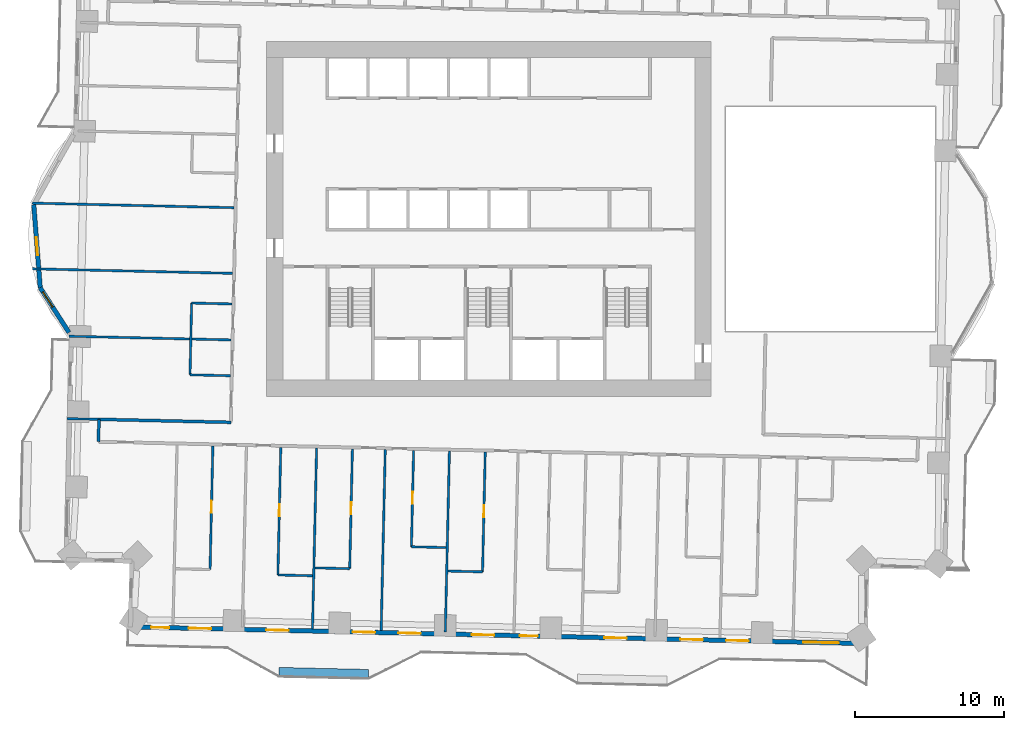
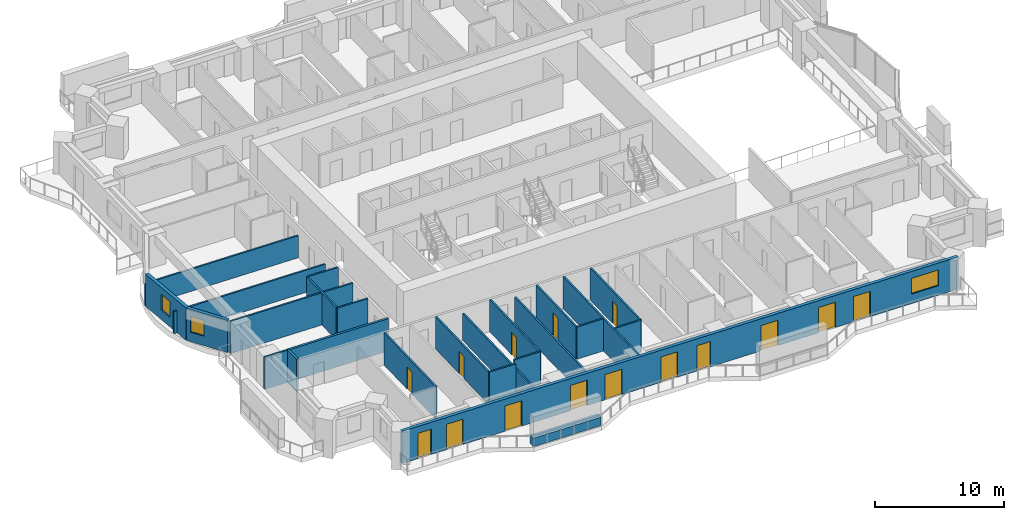
# One storey, part 7 of 18: 25 walls, 15 doors, 3 windows, 18 openings.
"""IFC4 building model written with IfcOpenShell, lengths in metres."""

from ifc_helpers import new_model, si_unit, direction, frame, frame_2d, origin, place, context, subcontext, project, spatial, rectangle, extrude, material, layer, layer_set, type_object, element, fill, save


model = new_model("IFC4")

# Units and contexts
model_context = context("Model", 3, precision=1e-05, world=origin(), true_north=direction((0.0, 1.0)))
body_context = subcontext(model_context, "Body", "Model", "MODEL_VIEW")
ifc_project = project(units=[si_unit("LENGTHUNIT", "METRE"), si_unit("AREAUNIT", "SQUARE_METRE"), si_unit("VOLUMEUNIT", "CUBIC_METRE"), si_unit("PLANEANGLEUNIT", "RADIAN"), si_unit("MASSUNIT", "GRAM", prefix="KILO")], contexts=[model_context])

# Site, building, storey
site_placement = place(None, origin())
site = spatial("IfcSite", under=ifc_project, at=site_placement, CompositionType="ELEMENT")
building_placement = place(site_placement, origin())
building = spatial("IfcBuilding", under=site, at=building_placement, Name="Mangrove Gate Tower", CompositionType="ELEMENT")
storey_placement = place(building_placement, frame((0.0, 0.0, 67.5)))
storey = spatial("IfcBuildingStorey", under=building, at=storey_placement, Name="L16", CompositionType="ELEMENT", Elevation=67.5)

# Walls
ifc_material_1 = material(Name="Gypsum board on steel stud, EI 60", Category="steel")
ifc_layer_1 = layer(ifc_material_1, 0.199951171875)
ifc_layer_set_1 = layer_set([ifc_layer_1], Name="Corridor wall EI 60")
wall_type_1 = type_object("IfcWallType", Name="Corridor wall EI 60", PredefinedType="PARTITIONING", material=ifc_layer_set_1)
wall_1_placement = place(storey_placement, frame((-26.14794921875, -14.924072265625, 0.0), z_axis=(0.0, 0.0, 1.0), x_axis=(0.022617910375, 0.999744182344, 0.0)))
element("IfcWall", 1, at=wall_1_placement, inside=storey, type_object=wall_type_1, Name="WALL-L16-032", PredefinedType="PARTITIONING", context=body_context, shape_type="SweptSolid", body=[
    extrude(rectangle(XDim=1.50048828125, YDim=0.199951171875, at=frame_2d((0.750244140625, 0.0))), origin(), (0.0, 0.0, 1.0), 3.050048828125),
])
wall_2_placement = place(storey_placement, frame((-26.116943359375, -13.424072265625, 0.0), z_axis=(0.0, 0.0, 1.0), x_axis=(0.999741493133, -0.022736466476, 0.0)))
element("IfcWall", 2, at=wall_2_placement, inside=storey, type_object=wall_type_1, Name="WALL-L16-035", PredefinedType="PARTITIONING", context=body_context, shape_type="SweptSolid", body=[
    extrude(rectangle(XDim=8.837158203125, YDim=0.199951171875, at=frame_2d((4.41845703125, 0.0))), origin(), (0.0, 0.0, 1.0), 3.050048828125),
])

# Wall, opening, window
ifc_material_2 = material(Name="Limestone", Category="masonry")
ifc_layer_2 = layer(ifc_material_2, 0.0400390625, Name="Limestone cladding")
ifc_material_3 = material(Name="Ventilated air gap")
ifc_layer_3 = layer(ifc_material_3, 0.0400390625, Name="Ventilated cavity")
ifc_material_4 = material(Name="Mineral wool insulation")
ifc_layer_4 = layer(ifc_material_4, 0.06005859375, Name="Insulation")
ifc_material_5 = material(Name="Breather membrane")
ifc_layer_5 = layer(ifc_material_5, 0.001953125, Name="Breather membrane")
ifc_material_6 = material(Name="Concrete C20/25 blockwork", Category="masonry")
ifc_layer_6 = layer(ifc_material_6, 0.14990234375, Name="Blockwork backing wall")
ifc_material_7 = material(Name="Gypsum plaster")
ifc_layer_7 = layer(ifc_material_7, 0.008056640625, Name="Internal plaster")
ifc_layer_set_2 = layer_set([ifc_layer_2, ifc_layer_3, ifc_layer_4, ifc_layer_5, ifc_layer_6, ifc_layer_7], Name="External wall 300 limestone cladding")
wall_type_2 = type_object("IfcWallType", Name="External wall 300 limestone cladding", PredefinedType="SOLIDWALL", material=ifc_layer_set_2)
wall_3_placement = place(storey_placement, frame((-30.47900390625, 0.951904296875, 0.0), z_axis=(0.0, 0.0, 1.0), x_axis=(0.076964476481, -0.997033835614, 0.0)))
wall_3 = element("IfcWall", 3, at=wall_3_placement, inside=storey, type_object=wall_type_2, Name="WALL-L16-W9f2", PredefinedType="SOLIDWALL", context=body_context, shape_type="SweptSolid", body=[
    extrude(rectangle(XDim=5.573486328125, YDim=0.300048828125, at=frame_2d((2.78662109375, 0.0))), origin(), (0.0, 0.0, 1.0), 3.050048828125),
])
opening_1_placement = place(wall_3_placement, frame((2.18603515625, 0.0, 0.89990234375)))
opening_1 = element("IfcOpeningElement", 4, at=opening_1_placement, cuts=wall_3, Name="Opening W1", PredefinedType="OPENING", context=body_context, shape_type="SweptSolid", body=[
    extrude(rectangle(XDim=1.199951171875, YDim=1.5, at=frame_2d((0.60009765625, 0.75))), frame((0.0, 0.159912109375, 0.0), z_axis=(0.0, -1.0, 0.0), x_axis=(1.0, 0.0, 0.0)), (0.0, 0.0, 1.0), 0.320068359375),
])
ifc_material_8 = material(Name="Aluminium frame with double-glazed low-e glass", Category="aluminium")
window_type_1 = type_object("IfcWindowType", Name="Side lite 1200x1500", PartitioningType="SINGLE_PANEL", PredefinedType="WINDOW", material=ifc_material_8)
window_1_placement = place(opening_1_placement, origin())
window_1 = element("IfcWindow", 5, at=window_1_placement, inside=storey, type_object=window_type_1, Name="WIN-L16-W9f2", OverallHeight=1.5, OverallWidth=1.199951171875, PartitioningType="SINGLE_PANEL", PredefinedType="WINDOW", context=body_context, shape_type="SweptSolid", body=[
    extrude(rectangle(XDim=1.199951171875, YDim=1.5, at=frame_2d((0.60009765625, 0.75))), frame((0.0, 0.030029296875, 0.0), z_axis=(0.0, -1.0, 0.0), x_axis=(1.0, 0.0, 0.0)), (0.0, 0.0, 1.0), 0.06005859375),
])
fill(opening_1, window_1)

wall_4_placement = place(storey_placement, frame((-30.050048828125, -4.60498046875, 0.0), z_axis=(0.0, 0.0, 1.0), x_axis=(0.540653885242, -0.841245134532, 0.0)))
wall_4 = element("IfcWall", 6, at=wall_4_placement, inside=storey, type_object=wall_type_2, Name="WALL-L16-W9f3", PredefinedType="SOLIDWALL", context=body_context, shape_type="SweptSolid", body=[
    extrude(rectangle(XDim=3.569580078125, YDim=0.300048828125, at=frame_2d((1.78466796875, 0.0))), origin(), (0.0, 0.0, 1.0), 3.050048828125),
])
opening_2_placement = place(wall_4_placement, frame((0.337890625, 0.0, 0.89990234375)))
opening_2 = element("IfcOpeningElement", 7, at=opening_2_placement, cuts=wall_4, Name="Opening W1", PredefinedType="OPENING", context=body_context, shape_type="SweptSolid", body=[
    extrude(rectangle(XDim=1.199951171875, YDim=1.5, at=frame_2d((0.60009765625, 0.75))), frame((0.0, 0.159912109375, 0.0), z_axis=(0.0, -1.0, 0.0), x_axis=(1.0, 0.0, 0.0)), (0.0, 0.0, 1.0), 0.320068359375),
])
window_2_placement = place(opening_2_placement, origin())
window_2 = element("IfcWindow", 8, at=window_2_placement, inside=storey, type_object=window_type_1, Name="WIN-L16-W9f3", OverallHeight=1.5, OverallWidth=1.199951171875, PartitioningType="SINGLE_PANEL", PredefinedType="WINDOW", context=body_context, shape_type="SweptSolid", body=[
    extrude(rectangle(XDim=1.199951171875, YDim=1.5, at=frame_2d((0.60009765625, 0.75))), frame((0.0, 0.030029296875, 0.0), z_axis=(0.0, -1.0, 0.0), x_axis=(1.0, 0.0, 0.0)), (0.0, 0.0, 1.0), 0.06005859375),
])
fill(opening_2, window_2)

# Wall, openings, doors, window
wall_5_placement = place(storey_placement, frame((-24.007080078125, -27.325927734375, 0.0), z_axis=(0.0, 0.0, 1.0), x_axis=(0.999742536491, -0.022690542744, 0.0)))
wall_5 = element("IfcWall", 9, at=wall_5_placement, inside=storey, type_object=wall_type_2, Name="WALL-L16-S13", PredefinedType="SOLIDWALL", context=body_context, shape_type="SweptSolid", body=[
    extrude(rectangle(XDim=49.23583984375, YDim=0.300048828125, at=frame_2d((24.617919921875, 0.0))), origin(), (0.0, 0.0, 1.0), 3.050048828125),
])
opening_3_placement = place(wall_5_placement, frame((1.39111328125, 0.0, 0.0)))
opening_3 = element("IfcOpeningElement", 10, at=opening_3_placement, cuts=wall_5, Name="Opening BD2", PredefinedType="OPENING", context=body_context, shape_type="SweptSolid", body=[
    extrude(rectangle(XDim=1.199951171875, YDim=2.39990234375, at=frame_2d((0.60009765625, 1.199951171875))), frame((0.0, 0.159912109375, 0.0), z_axis=(0.0, -1.0, 0.0), x_axis=(1.0, 0.0, 0.0)), (0.0, 0.0, 1.0), 0.320068359375),
])
opening_4_placement = place(wall_5_placement, frame((3.90087890625, 0.0, 0.0)))
opening_4 = element("IfcOpeningElement", 11, at=opening_4_placement, cuts=wall_5, Name="Opening BD1", PredefinedType="OPENING", context=body_context, shape_type="SweptSolid", body=[
    extrude(rectangle(XDim=1.5, YDim=2.39990234375, at=frame_2d((0.75, 1.199951171875))), frame((0.0, 0.159912109375, 0.0), z_axis=(0.0, -1.0, 0.0), x_axis=(1.0, 0.0, 0.0)), (0.0, 0.0, 1.0), 0.320068359375),
])
opening_5_placement = place(wall_5_placement, frame((9.10009765625, 0.0, 0.0)))
opening_5 = element("IfcOpeningElement", 12, at=opening_5_placement, cuts=wall_5, Name="Opening BD1", PredefinedType="OPENING", context=body_context, shape_type="SweptSolid", body=[
    extrude(rectangle(XDim=1.5, YDim=2.39990234375, at=frame_2d((0.75, 1.199951171875))), frame((0.0, 0.159912109375, 0.0), z_axis=(0.0, -1.0, 0.0), x_axis=(1.0, 0.0, 0.0)), (0.0, 0.0, 1.0), 0.320068359375),
])
opening_6_placement = place(wall_5_placement, frame((14.888916015625, 0.0, 0.0)))
opening_6 = element("IfcOpeningElement", 13, at=opening_6_placement, cuts=wall_5, Name="Opening BD1", PredefinedType="OPENING", context=body_context, shape_type="SweptSolid", body=[
    extrude(rectangle(XDim=1.5, YDim=2.39990234375, at=frame_2d((0.75, 1.199951171875))), frame((0.0, 0.159912109375, 0.0), z_axis=(0.0, -1.0, 0.0), x_axis=(1.0, 0.0, 0.0)), (0.0, 0.0, 1.0), 0.320068359375),
])
opening_7_placement = place(wall_5_placement, frame((17.951904296875, 0.0, 0.0)))
opening_7 = element("IfcOpeningElement", 14, at=opening_7_placement, cuts=wall_5, Name="Opening BD1", PredefinedType="OPENING", context=body_context, shape_type="SweptSolid", body=[
    extrude(rectangle(XDim=1.5, YDim=2.39990234375, at=frame_2d((0.75, 1.199951171875))), frame((0.0, 0.159912109375, 0.0), z_axis=(0.0, -1.0, 0.0), x_axis=(1.0, 0.0, 0.0)), (0.0, 0.0, 1.0), 0.320068359375),
])
opening_8_placement = place(wall_5_placement, frame((22.8779296875, 0.0, 0.0)))
opening_8 = element("IfcOpeningElement", 15, at=opening_8_placement, cuts=wall_5, Name="Opening BD1", PredefinedType="OPENING", context=body_context, shape_type="SweptSolid", body=[
    extrude(rectangle(XDim=1.5, YDim=2.39990234375, at=frame_2d((0.75, 1.199951171875))), frame((0.0, 0.159912109375, 0.0), z_axis=(0.0, -1.0, 0.0), x_axis=(1.0, 0.0, 0.0)), (0.0, 0.0, 1.0), 0.320068359375),
])
opening_9_placement = place(wall_5_placement, frame((26.091064453125, 0.0, 0.0)))
opening_9 = element("IfcOpeningElement", 16, at=opening_9_placement, cuts=wall_5, Name="Opening BD2", PredefinedType="OPENING", context=body_context, shape_type="SweptSolid", body=[
    extrude(rectangle(XDim=1.199951171875, YDim=2.39990234375, at=frame_2d((0.60009765625, 1.199951171875))), frame((0.0, 0.159912109375, 0.0), z_axis=(0.0, -1.0, 0.0), x_axis=(1.0, 0.0, 0.0)), (0.0, 0.0, 1.0), 0.320068359375),
])
opening_10_placement = place(wall_5_placement, frame((31.75390625, 0.0, 0.0)))
opening_10 = element("IfcOpeningElement", 17, at=opening_10_placement, cuts=wall_5, Name="Opening BD1", PredefinedType="OPENING", context=body_context, shape_type="SweptSolid", body=[
    extrude(rectangle(XDim=1.5, YDim=2.39990234375, at=frame_2d((0.75, 1.199951171875))), frame((0.0, 0.159912109375, 0.0), z_axis=(0.0, -1.0, 0.0), x_axis=(1.0, 0.0, 0.0)), (0.0, 0.0, 1.0), 0.320068359375),
])
opening_11_placement = place(wall_5_placement, frame((36.85400390625, 0.0, 0.0)))
opening_11 = element("IfcOpeningElement", 18, at=opening_11_placement, cuts=wall_5, Name="Opening BD1", PredefinedType="OPENING", context=body_context, shape_type="SweptSolid", body=[
    extrude(rectangle(XDim=1.5, YDim=2.39990234375, at=frame_2d((0.75, 1.199951171875))), frame((0.0, 0.159912109375, 0.0), z_axis=(0.0, -1.0, 0.0), x_axis=(1.0, 0.0, 0.0)), (0.0, 0.0, 1.0), 0.320068359375),
])
opening_12_placement = place(wall_5_placement, frame((39.9169921875, 0.0, 0.0)))
opening_12 = element("IfcOpeningElement", 19, at=opening_12_placement, cuts=wall_5, Name="Opening BD1", PredefinedType="OPENING", context=body_context, shape_type="SweptSolid", body=[
    extrude(rectangle(XDim=1.5, YDim=2.39990234375, at=frame_2d((0.75, 1.199951171875))), frame((0.0, 0.159912109375, 0.0), z_axis=(0.0, -1.0, 0.0), x_axis=(1.0, 0.0, 0.0)), (0.0, 0.0, 1.0), 0.320068359375),
])
opening_13_placement = place(wall_5_placement, frame((45.072021484375, 0.0, 0.89990234375)))
opening_13 = element("IfcOpeningElement", 20, at=opening_13_placement, cuts=wall_5, Name="Opening W2", PredefinedType="OPENING", context=body_context, shape_type="SweptSolid", body=[
    extrude(rectangle(XDim=2.39990234375, YDim=1.5, at=frame_2d((1.199951171875, 0.75))), frame((0.0, 0.159912109375, 0.0), z_axis=(0.0, -1.0, 0.0), x_axis=(1.0, 0.0, 0.0)), (0.0, 0.0, 1.0), 0.320068359375),
])
ifc_material_9 = material(Name="Aluminium frame with laminated clear glass", Category="aluminium")
door_type_1 = type_object("IfcDoorType", Name="Balcony sliding door 1200x2400", OperationType="SLIDING_TO_LEFT", PredefinedType="DOOR", material=ifc_material_9)
door_1_placement = place(opening_3_placement, origin())
door_1 = element("IfcDoor", 21, at=door_1_placement, inside=storey, type_object=door_type_1, Name="DOOR-L16-S13-1", OperationType="SLIDING_TO_LEFT", OverallHeight=2.39990234375, OverallWidth=1.199951171875, PredefinedType="DOOR", context=body_context, shape_type="SweptSolid", body=[
    extrude(rectangle(XDim=1.199951171875, YDim=2.39990234375, at=frame_2d((0.60009765625, 1.199951171875))), frame((0.0, 0.02490234375, 0.0), z_axis=(0.0, -1.0, 0.0), x_axis=(1.0, 0.0, 0.0)), (0.0, 0.0, 1.0), 0.050048828125),
])
fill(opening_3, door_1)
door_2_placement = place(opening_9_placement, origin())
door_2 = element("IfcDoor", 22, at=door_2_placement, inside=storey, type_object=door_type_1, Name="DOOR-L16-S13-7", OperationType="SLIDING_TO_LEFT", OverallHeight=2.39990234375, OverallWidth=1.199951171875, PredefinedType="DOOR", context=body_context, shape_type="SweptSolid", body=[
    extrude(rectangle(XDim=1.199951171875, YDim=2.39990234375, at=frame_2d((0.60009765625, 1.199951171875))), frame((0.0, 0.02490234375, 0.0), z_axis=(0.0, -1.0, 0.0), x_axis=(1.0, 0.0, 0.0)), (0.0, 0.0, 1.0), 0.050048828125),
])
fill(opening_9, door_2)
ifc_material_10 = material(Name="Aluminium frame with laminated clear glass", Category="aluminium")
door_type_2 = type_object("IfcDoorType", Name="Balcony sliding door 1500x2400", OperationType="SLIDING_TO_LEFT", PredefinedType="DOOR", material=ifc_material_10)
door_3_placement = place(opening_4_placement, origin())
door_3 = element("IfcDoor", 23, at=door_3_placement, inside=storey, type_object=door_type_2, Name="DOOR-L16-S13-2", OperationType="SLIDING_TO_LEFT", OverallHeight=2.39990234375, OverallWidth=1.5, PredefinedType="DOOR", context=body_context, shape_type="SweptSolid", body=[
    extrude(rectangle(XDim=1.5, YDim=2.39990234375, at=frame_2d((0.75, 1.199951171875))), frame((0.0, 0.02490234375, 0.0), z_axis=(0.0, -1.0, 0.0), x_axis=(1.0, 0.0, 0.0)), (0.0, 0.0, 1.0), 0.050048828125),
])
fill(opening_4, door_3)
door_4_placement = place(opening_5_placement, origin())
door_4 = element("IfcDoor", 24, at=door_4_placement, inside=storey, type_object=door_type_2, Name="DOOR-L16-S13-3", OperationType="SLIDING_TO_LEFT", OverallHeight=2.39990234375, OverallWidth=1.5, PredefinedType="DOOR", context=body_context, shape_type="SweptSolid", body=[
    extrude(rectangle(XDim=1.5, YDim=2.39990234375, at=frame_2d((0.75, 1.199951171875))), frame((0.0, 0.02490234375, 0.0), z_axis=(0.0, -1.0, 0.0), x_axis=(1.0, 0.0, 0.0)), (0.0, 0.0, 1.0), 0.050048828125),
])
fill(opening_5, door_4)
door_5_placement = place(opening_6_placement, origin())
door_5 = element("IfcDoor", 25, at=door_5_placement, inside=storey, type_object=door_type_2, Name="DOOR-L16-S13-4", OperationType="SLIDING_TO_LEFT", OverallHeight=2.39990234375, OverallWidth=1.5, PredefinedType="DOOR", context=body_context, shape_type="SweptSolid", body=[
    extrude(rectangle(XDim=1.5, YDim=2.39990234375, at=frame_2d((0.75, 1.199951171875))), frame((0.0, 0.02490234375, 0.0), z_axis=(0.0, -1.0, 0.0), x_axis=(1.0, 0.0, 0.0)), (0.0, 0.0, 1.0), 0.050048828125),
])
fill(opening_6, door_5)
door_6_placement = place(opening_7_placement, origin())
door_6 = element("IfcDoor", 26, at=door_6_placement, inside=storey, type_object=door_type_2, Name="DOOR-L16-S13-5", OperationType="SLIDING_TO_LEFT", OverallHeight=2.39990234375, OverallWidth=1.5, PredefinedType="DOOR", context=body_context, shape_type="SweptSolid", body=[
    extrude(rectangle(XDim=1.5, YDim=2.39990234375, at=frame_2d((0.75, 1.199951171875))), frame((0.0, 0.02490234375, 0.0), z_axis=(0.0, -1.0, 0.0), x_axis=(1.0, 0.0, 0.0)), (0.0, 0.0, 1.0), 0.050048828125),
])
fill(opening_7, door_6)
door_7_placement = place(opening_8_placement, origin())
door_7 = element("IfcDoor", 27, at=door_7_placement, inside=storey, type_object=door_type_2, Name="DOOR-L16-S13-6", OperationType="SLIDING_TO_LEFT", OverallHeight=2.39990234375, OverallWidth=1.5, PredefinedType="DOOR", context=body_context, shape_type="SweptSolid", body=[
    extrude(rectangle(XDim=1.5, YDim=2.39990234375, at=frame_2d((0.75, 1.199951171875))), frame((0.0, 0.02490234375, 0.0), z_axis=(0.0, -1.0, 0.0), x_axis=(1.0, 0.0, 0.0)), (0.0, 0.0, 1.0), 0.050048828125),
])
fill(opening_8, door_7)
door_8_placement = place(opening_10_placement, origin())
door_8 = element("IfcDoor", 28, at=door_8_placement, inside=storey, type_object=door_type_2, Name="DOOR-L16-S13-8", OperationType="SLIDING_TO_LEFT", OverallHeight=2.39990234375, OverallWidth=1.5, PredefinedType="DOOR", context=body_context, shape_type="SweptSolid", body=[
    extrude(rectangle(XDim=1.5, YDim=2.39990234375, at=frame_2d((0.75, 1.199951171875))), frame((0.0, 0.02490234375, 0.0), z_axis=(0.0, -1.0, 0.0), x_axis=(1.0, 0.0, 0.0)), (0.0, 0.0, 1.0), 0.050048828125),
])
fill(opening_10, door_8)
door_9_placement = place(opening_11_placement, origin())
door_9 = element("IfcDoor", 29, at=door_9_placement, inside=storey, type_object=door_type_2, Name="DOOR-L16-S13-9", OperationType="SLIDING_TO_LEFT", OverallHeight=2.39990234375, OverallWidth=1.5, PredefinedType="DOOR", context=body_context, shape_type="SweptSolid", body=[
    extrude(rectangle(XDim=1.5, YDim=2.39990234375, at=frame_2d((0.75, 1.199951171875))), frame((0.0, 0.02490234375, 0.0), z_axis=(0.0, -1.0, 0.0), x_axis=(1.0, 0.0, 0.0)), (0.0, 0.0, 1.0), 0.050048828125),
])
fill(opening_11, door_9)
door_10_placement = place(opening_12_placement, origin())
door_10 = element("IfcDoor", 30, at=door_10_placement, inside=storey, type_object=door_type_2, Name="DOOR-L16-S13-10", OperationType="SLIDING_TO_LEFT", OverallHeight=2.39990234375, OverallWidth=1.5, PredefinedType="DOOR", context=body_context, shape_type="SweptSolid", body=[
    extrude(rectangle(XDim=1.5, YDim=2.39990234375, at=frame_2d((0.75, 1.199951171875))), frame((0.0, 0.02490234375, 0.0), z_axis=(0.0, -1.0, 0.0), x_axis=(1.0, 0.0, 0.0)), (0.0, 0.0, 1.0), 0.050048828125),
])
fill(opening_12, door_10)
ifc_material_11 = material(Name="Aluminium frame with double-glazed low-e glass", Category="aluminium")
window_type_2 = type_object("IfcWindowType", Name="Corner room window 2400x1500", PartitioningType="DOUBLE_PANEL_VERTICAL", PredefinedType="WINDOW", material=ifc_material_11)
window_3_placement = place(opening_13_placement, origin())
window_3 = element("IfcWindow", 31, at=window_3_placement, inside=storey, type_object=window_type_2, Name="WIN-L16-S13-11", OverallHeight=1.5, OverallWidth=2.39990234375, PartitioningType="DOUBLE_PANEL_VERTICAL", PredefinedType="WINDOW", context=body_context, shape_type="SweptSolid", body=[
    extrude(rectangle(XDim=2.39990234375, YDim=1.5, at=frame_2d((1.199951171875, 0.75))), frame((0.0, 0.030029296875, 0.0), z_axis=(0.0, -1.0, 0.0), x_axis=(1.0, 0.0, 0.0)), (0.0, 0.0, 1.0), 0.06005859375),
])
fill(opening_13, window_3)

# Walls
ifc_material_12 = material(Name="Gypsum board on steel stud, EI 60", Category="steel")
ifc_layer_8 = layer(ifc_material_12, 0.14990234375)
ifc_layer_set_3 = layer_set([ifc_layer_8], Name="Party wall 150 EI 60")
wall_type_3 = type_object("IfcWallType", Name="Party wall 150 EI 60", PredefinedType="PARTITIONING", material=ifc_layer_set_3)
for number, where, z_axis, x_axis, name in (
    (32, (-11.80908203125, -27.452880859375, 0.0), (0.0, 0.0, 1.0), (0.02273928012, 0.99974142914, 0.0), "WALL-L16-003"),
    (33, (-7.2099609375, -27.556884765625, 0.0), (0.0, 0.0, 1.0), (0.02263844782, 0.9997437175, 0.0), "WALL-L16-004"),
):
    element("IfcWall", number, at=place(storey_placement, frame(where, z_axis=z_axis, x_axis=x_axis)), inside=storey, type_object=wall_type_3, Name=name, PredefinedType="PARTITIONING", context=body_context, shape_type="SweptSolid", body=[
        extrude(rectangle(XDim=12.10009765625, YDim=0.14990234375, at=frame_2d((6.050048828125, 0.0))), origin(), (0.0, 0.0, 1.0), 2.550048828125),
    ])
wall_6_placement = place(storey_placement, frame((-2.910888671875, -27.655029296875, 0.0), z_axis=(0.0, 0.0, 1.0), x_axis=(0.02263616477, 0.999743769195, 0.0)))
element("IfcWall", 34, at=wall_6_placement, inside=storey, type_object=wall_type_3, Name="WALL-L16-005", PredefinedType="PARTITIONING", context=body_context, shape_type="SweptSolid", body=[
    extrude(rectangle(XDim=12.101318359375, YDim=0.14990234375, at=frame_2d((6.05078125, 0.0))), origin(), (0.0, 0.0, 1.0), 3.050048828125),
])

# Wall, opening, door
wall_7_placement = place(storey_placement, frame((-14.1279296875, -23.84912109375, 0.0), z_axis=(0.0, 0.0, 1.0), x_axis=(0.022671462533, 0.999742969361, 0.0)))
wall_7 = element("IfcWall", 35, at=wall_7_placement, inside=storey, type_object=wall_type_3, Name="WALL-L16-015", PredefinedType="PARTITIONING", context=body_context, shape_type="SweptSolid", body=[
    extrude(rectangle(XDim=8.55029296875, YDim=0.14990234375, at=frame_2d((4.275146484375, 0.0))), origin(), (0.0, 0.0, 1.0), 3.050048828125),
])
opening_14_placement = place(wall_7_placement, frame((3.925048828125, 0.0, 0.0)))
opening_14 = element("IfcOpeningElement", 36, at=opening_14_placement, cuts=wall_7, Name="Opening ED", PredefinedType="OPENING", context=body_context, shape_type="SweptSolid", body=[
    extrude(rectangle(XDim=0.800048828125, YDim=2.10009765625, at=frame_2d((0.39990234375, 1.050048828125))), frame((0.0, 0.0849609375, 0.0), z_axis=(0.0, -1.0, 0.0), x_axis=(1.0, 0.0, 0.0)), (0.0, 0.0, 1.0), 0.169921875),
])
ifc_material_13 = material(Name="Timber door leaf", Category="wood")
door_type_3 = type_object("IfcDoorType", Name="En-suite door 800", OperationType="SINGLE_SWING_LEFT", PredefinedType="DOOR", material=ifc_material_13)
door_11_placement = place(opening_14_placement, origin())
door_11 = element("IfcDoor", 37, at=door_11_placement, inside=storey, type_object=door_type_3, Name="DOOR-L16-ENS-c102", OperationType="SINGLE_SWING_RIGHT", OverallHeight=2.10009765625, OverallWidth=0.800048828125, PredefinedType="DOOR", context=body_context, shape_type="SweptSolid", body=[
    extrude(rectangle(XDim=0.800048828125, YDim=2.10009765625, at=frame_2d((0.39990234375, 1.050048828125))), frame((0.0, 0.02490234375, 0.0), z_axis=(0.0, -1.0, 0.0), x_axis=(1.0, 0.0, 0.0)), (0.0, 0.0, 1.0), 0.050048828125),
])
fill(opening_14, door_11)

# Wall
wall_8_placement = place(storey_placement, frame((-14.1259765625, -23.84912109375, 0.0), z_axis=(0.0, 0.0, 1.0), x_axis=(0.999740478815, -0.022781023197, 0.0)))
element("IfcWall", 38, at=wall_8_placement, inside=storey, type_object=wall_type_3, Name="WALL-L16-016", PredefinedType="PARTITIONING", context=body_context, shape_type="SweptSolid", body=[
    extrude(rectangle(XDim=2.325439453125, YDim=0.14990234375, at=frame_2d((1.16259765625, 0.0))), origin(), (0.0, 0.0, 1.0), 3.050048828125),
])

# Wall, opening, door
wall_9_placement = place(storey_placement, frame((-18.6708984375, -23.486083984375, 0.0), z_axis=(0.0, 0.0, 1.0), x_axis=(0.022675916361, 0.99974286835, 0.0)))
wall_9 = element("IfcWall", 39, at=wall_9_placement, inside=storey, type_object=wall_type_3, Name="WALL-L16-018", PredefinedType="PARTITIONING", context=body_context, shape_type="SweptSolid", body=[
    extrude(rectangle(XDim=8.290283203125, YDim=0.14990234375, at=frame_2d((4.14501953125, 0.0))), origin(), (0.0, 0.0, 1.0), 3.050048828125),
])
opening_15_placement = place(wall_9_placement, frame((3.794921875, 0.0, 0.0)))
opening_15 = element("IfcOpeningElement", 40, at=opening_15_placement, cuts=wall_9, Name="Opening ED", PredefinedType="OPENING", context=body_context, shape_type="SweptSolid", body=[
    extrude(rectangle(XDim=0.800048828125, YDim=2.10009765625, at=frame_2d((0.39990234375, 1.050048828125))), frame((0.0, 0.0849609375, 0.0), z_axis=(0.0, -1.0, 0.0), x_axis=(1.0, 0.0, 0.0)), (0.0, 0.0, 1.0), 0.169921875),
])
door_12_placement = place(opening_15_placement, origin())
door_12 = element("IfcDoor", 41, at=door_12_placement, inside=storey, type_object=door_type_3, Name="DOOR-L16-ENS-c101", OperationType="SINGLE_SWING_LEFT", OverallHeight=2.10009765625, OverallWidth=0.800048828125, PredefinedType="DOOR", context=body_context, shape_type="SweptSolid", body=[
    extrude(rectangle(XDim=0.800048828125, YDim=2.10009765625, at=frame_2d((0.39990234375, 1.050048828125))), frame((0.0, 0.02490234375, 0.0), z_axis=(0.0, -1.0, 0.0), x_axis=(1.0, 0.0, 0.0)), (0.0, 0.0, 1.0), 0.050048828125),
])
fill(opening_15, door_12)

# Wall
wall_10_placement = place(storey_placement, frame((-2.741943359375, -23.5869140625, 0.0), z_axis=(0.0, 0.0, 1.0), x_axis=(0.999740478815, -0.022781023197, 0.0)))
element("IfcWall", 42, at=wall_10_placement, inside=storey, type_object=wall_type_3, Name="WALL-L16-019", PredefinedType="PARTITIONING", context=body_context, shape_type="SweptSolid", body=[
    extrude(rectangle(XDim=2.325439453125, YDim=0.14990234375, at=frame_2d((1.16259765625, 0.0))), origin(), (0.0, 0.0, 1.0), 3.050048828125),
])

# Wall, opening, door
wall_11_placement = place(storey_placement, frame((-0.4189453125, -23.639892578125, 0.0), z_axis=(0.0, 0.0, 1.0), x_axis=(0.022650959747, 0.999743434098, 0.0)))
wall_11 = element("IfcWall", 43, at=wall_11_placement, inside=storey, type_object=wall_type_3, Name="WALL-L16-020", PredefinedType="PARTITIONING", context=body_context, shape_type="SweptSolid", body=[
    extrude(rectangle(XDim=8.02978515625, YDim=0.14990234375, at=frame_2d((4.014892578125, 0.0))), origin(), (0.0, 0.0, 1.0), 3.050048828125),
])
opening_16_placement = place(wall_11_placement, frame((3.6650390625, 0.0, 0.0)))
opening_16 = element("IfcOpeningElement", 44, at=opening_16_placement, cuts=wall_11, Name="Opening ED", PredefinedType="OPENING", context=body_context, shape_type="SweptSolid", body=[
    extrude(rectangle(XDim=0.800048828125, YDim=2.10009765625, at=frame_2d((0.39990234375, 1.050048828125))), frame((0.0, 0.0849609375, 0.0), z_axis=(0.0, -1.0, 0.0), x_axis=(1.0, 0.0, 0.0)), (0.0, 0.0, 1.0), 0.169921875),
])
door_13_placement = place(opening_16_placement, origin())
door_13 = element("IfcDoor", 45, at=door_13_placement, inside=storey, type_object=door_type_3, Name="DOOR-L16-ENS-c205", OperationType="SINGLE_SWING_LEFT", OverallHeight=2.10009765625, OverallWidth=0.800048828125, PredefinedType="DOOR", context=body_context, shape_type="SweptSolid", body=[
    extrude(rectangle(XDim=0.800048828125, YDim=2.10009765625, at=frame_2d((0.39990234375, 1.050048828125))), frame((0.0, 0.02490234375, 0.0), z_axis=(0.0, -1.0, 0.0), x_axis=(1.0, 0.0, 0.0)), (0.0, 0.0, 1.0), 0.050048828125),
])
fill(opening_16, door_13)

# Wall
wall_12_placement = place(storey_placement, frame((-11.638916015625, -23.375, 0.0), z_axis=(0.0, 0.0, 1.0), x_axis=(0.999740260747, -0.02279059109, 0.0)))
element("IfcWall", 46, at=wall_12_placement, inside=storey, type_object=wall_type_3, Name="WALL-L16-021", PredefinedType="PARTITIONING", context=body_context, shape_type="SweptSolid", body=[
    extrude(rectangle(XDim=2.324462890625, YDim=0.14990234375, at=frame_2d((1.162109375, 0.0))), origin(), (0.0, 0.0, 1.0), 3.050048828125),
])

# Wall, opening, door
wall_13_placement = place(storey_placement, frame((-9.31689453125, -23.427978515625, 0.0), z_axis=(0.0, 0.0, 1.0), x_axis=(0.022678533363, 0.999742808989, 0.0)))
wall_13 = element("IfcWall", 47, at=wall_13_placement, inside=storey, type_object=wall_type_3, Name="WALL-L16-022", PredefinedType="PARTITIONING", context=body_context, shape_type="SweptSolid", body=[
    extrude(rectangle(XDim=8.02001953125, YDim=0.14990234375, at=frame_2d((4.010009765625, 0.0))), origin(), (0.0, 0.0, 1.0), 3.050048828125),
])
opening_17_placement = place(wall_13_placement, frame((3.659912109375, 0.0, 0.0)))
opening_17 = element("IfcOpeningElement", 48, at=opening_17_placement, cuts=wall_13, Name="Opening ED", PredefinedType="OPENING", context=body_context, shape_type="SweptSolid", body=[
    extrude(rectangle(XDim=0.800048828125, YDim=2.10009765625, at=frame_2d((0.39990234375, 1.050048828125))), frame((0.0, 0.0849609375, 0.0), z_axis=(0.0, -1.0, 0.0), x_axis=(1.0, 0.0, 0.0)), (0.0, 0.0, 1.0), 0.169921875),
])
door_14_placement = place(opening_17_placement, origin())
door_14 = element("IfcDoor", 49, at=door_14_placement, inside=storey, type_object=door_type_3, Name="DOOR-L16-ENS-c103", OperationType="SINGLE_SWING_LEFT", OverallHeight=2.10009765625, OverallWidth=0.800048828125, PredefinedType="DOOR", context=body_context, shape_type="SweptSolid", body=[
    extrude(rectangle(XDim=0.800048828125, YDim=2.10009765625, at=frame_2d((0.39990234375, 1.050048828125))), frame((0.0, 0.02490234375, 0.0), z_axis=(0.0, -1.0, 0.0), x_axis=(1.0, 0.0, 0.0)), (0.0, 0.0, 1.0), 0.050048828125),
])
fill(opening_17, door_14)

wall_14_placement = place(storey_placement, frame((-5.18310546875, -21.9609375, 0.0), z_axis=(0.0, 0.0, 1.0), x_axis=(0.022790087107, 0.999740272236, 0.0)))
wall_14 = element("IfcWall", 50, at=wall_14_placement, inside=storey, type_object=wall_type_3, Name="WALL-L16-027", PredefinedType="PARTITIONING", context=body_context, shape_type="SweptSolid", body=[
    extrude(rectangle(XDim=6.459716796875, YDim=0.14990234375, at=frame_2d((3.22998046875, 0.0))), origin(), (0.0, 0.0, 1.0), 3.050048828125),
])
opening_18_placement = place(wall_14_placement, frame((2.8798828125, 0.0, 0.0)))
opening_18 = element("IfcOpeningElement", 51, at=opening_18_placement, cuts=wall_14, Name="Opening ED", PredefinedType="OPENING", context=body_context, shape_type="SweptSolid", body=[
    extrude(rectangle(XDim=0.800048828125, YDim=2.10009765625, at=frame_2d((0.39990234375, 1.050048828125))), frame((0.0, 0.0849609375, 0.0), z_axis=(0.0, -1.0, 0.0), x_axis=(1.0, 0.0, 0.0)), (0.0, 0.0, 1.0), 0.169921875),
])
door_15_placement = place(opening_18_placement, origin())
door_15 = element("IfcDoor", 52, at=door_15_placement, inside=storey, type_object=door_type_3, Name="DOOR-L16-ENS-c104", OperationType="SINGLE_SWING_RIGHT", OverallHeight=2.10009765625, OverallWidth=0.800048828125, PredefinedType="DOOR", context=body_context, shape_type="SweptSolid", body=[
    extrude(rectangle(XDim=0.800048828125, YDim=2.10009765625, at=frame_2d((0.39990234375, 1.050048828125))), frame((0.0, 0.02490234375, 0.0), z_axis=(0.0, -1.0, 0.0), x_axis=(1.0, 0.0, 0.0)), (0.0, 0.0, 1.0), 0.050048828125),
])
fill(opening_18, door_15)

# Walls
wall_15_placement = place(storey_placement, frame((-5.180908203125, -21.9609375, 0.0), z_axis=(0.0, 0.0, 1.0), x_axis=(0.999740478815, -0.022781023197, 0.0)))
element("IfcWall", 53, at=wall_15_placement, inside=storey, type_object=wall_type_3, Name="WALL-L16-028", PredefinedType="PARTITIONING", context=body_context, shape_type="SweptSolid", body=[
    extrude(rectangle(XDim=2.325439453125, YDim=0.14990234375, at=frame_2d((1.16259765625, 0.0))), origin(), (0.0, 0.0, 1.0), 3.050048828125),
])
wall_16_placement = place(storey_placement, frame((-28.241943359375, -13.3759765625, 0.0), z_axis=(0.0, 0.0, 1.0), x_axis=(0.999743965862, -0.022627477169, 0.0)))
element("IfcWall", 54, at=wall_16_placement, inside=storey, type_object=wall_type_3, Name="WALL-L16-034", PredefinedType="PARTITIONING", context=body_context, shape_type="SweptSolid", body=[
    extrude(rectangle(XDim=2.12548828125, YDim=0.14990234375, at=frame_2d((1.062744140625, 0.0))), origin(), (0.0, 0.0, 1.0), 3.050048828125),
])
wall_17_placement = place(storey_placement, frame((-20.010009765625, -10.44189453125, 0.0), z_axis=(0.0, 0.0, 1.0), x_axis=(0.999744396973, -0.02260842146, 0.0)))
element("IfcWall", 55, at=wall_17_placement, inside=storey, type_object=wall_type_3, Name="WALL-L16-040", PredefinedType="PARTITIONING", context=body_context, shape_type="SweptSolid", body=[
    extrude(rectangle(XDim=2.69970703125, YDim=0.14990234375, at=frame_2d((1.349853515625, 0.0))), origin(), (0.0, 0.0, 1.0), 3.050048828125),
])
wall_18_placement = place(storey_placement, frame((-20.014892578125, -10.43701171875, 0.0), z_axis=(0.0, 0.0, 1.0), x_axis=(0.022683280499, 0.999742701292, 0.0)))
element("IfcWall", 56, at=wall_18_placement, inside=storey, type_object=wall_type_3, Name="WALL-L16-041", PredefinedType="PARTITIONING", context=body_context, shape_type="SweptSolid", body=[
    extrude(rectangle(XDim=4.80029296875, YDim=0.14990234375, at=frame_2d((2.400146484375, 0.0))), origin(), (0.0, 0.0, 1.0), 3.050048828125),
])
wall_19_placement = place(storey_placement, frame((-28.115966796875, -7.85693359375, 0.0), z_axis=(0.0, 0.0, 1.0), x_axis=(0.999741301527, -0.022744890004, 0.0)))
element("IfcWall", 57, at=wall_19_placement, inside=storey, type_object=wall_type_3, Name="WALL-L16-042", PredefinedType="PARTITIONING", context=body_context, shape_type="SweptSolid", body=[
    extrude(rectangle(XDim=10.86279296875, YDim=0.14990234375, at=frame_2d((5.431396484375, 0.0))), origin(), (0.0, 0.0, 1.0), 3.050048828125),
])
wall_20_placement = place(storey_placement, frame((-19.90087890625, -5.633056640625, 0.0), z_axis=(0.0, 0.0, 1.0), x_axis=(0.999744396973, -0.02260842146, 0.0)))
element("IfcWall", 58, at=wall_20_placement, inside=storey, type_object=wall_type_3, Name="WALL-L16-043", PredefinedType="PARTITIONING", context=body_context, shape_type="SweptSolid", body=[
    extrude(rectangle(XDim=2.69970703125, YDim=0.14990234375, at=frame_2d((1.349853515625, 0.0))), origin(), (0.0, 0.0, 1.0), 3.050048828125),
])
wall_21_placement = place(storey_placement, frame((-30.56298828125, -3.341064453125, 0.0), z_axis=(0.0, 0.0, 1.0), x_axis=(0.999743140217, -0.022663927048, 0.0)))
element("IfcWall", 59, at=wall_21_placement, inside=storey, type_object=wall_type_3, Name="WALL-L16-044", PredefinedType="PARTITIONING", context=body_context, shape_type="SweptSolid", body=[
    extrude(rectangle(XDim=13.411376953125, YDim=0.14990234375, at=frame_2d((6.70556640625, 0.0))), origin(), (0.0, 0.0, 1.0), 2.10009765625),
])
wall_22_placement = place(storey_placement, frame((-30.60205078125, 1.06103515625, 0.0), z_axis=(0.0, 0.0, 1.0), x_axis=(0.999743108275, -0.022665336016, 0.0)))
element("IfcWall", 60, at=wall_22_placement, inside=storey, type_object=wall_type_3, Name="WALL-L16-045", PredefinedType="PARTITIONING", context=body_context, shape_type="SweptSolid", body=[
    extrude(rectangle(XDim=13.550537109375, YDim=0.14990234375, at=frame_2d((6.775390625, 0.0))), origin(), (0.0, 0.0, 1.0), 2.10009765625),
])
ifc_material_14 = material(Name="Concrete C32/40", Category="concrete")
ifc_layer_9 = layer(ifc_material_14, 0.199951171875, Name="Planter trough wall")
ifc_material_15 = material(Name="Bituminous waterproofing membrane")
ifc_layer_10 = layer(ifc_material_15, 0.0048828125, Name="Waterproofing")
ifc_material_16 = material(Name="Drainage board and gravel")
ifc_layer_11 = layer(ifc_material_16, 0.044921875, Name="Drainage layer")
ifc_material_17 = material(Name="Planting soil")
ifc_layer_12 = layer(ifc_material_17, 0.300048828125, Name="Growing medium")
ifc_layer_set_4 = layer_set([ifc_layer_9, ifc_layer_10, ifc_layer_11, ifc_layer_12], Name="Planter wall 550 C32/40")
wall_type_4 = type_object("IfcWallType", Name="Planter wall 550 C32/40", PredefinedType="USERDEFINED", material=ifc_layer_set_4)
wall_23_placement = place(storey_placement, frame((-14.054931640625, -30.31689453125, 0.0), z_axis=(0.0, 0.0, 1.0), x_axis=(0.999743178102, -0.022662255828, 0.0)))
element("IfcWall", 61, at=wall_23_placement, inside=storey, type_object=wall_type_4, Name="PLANTER L16 S0.1", ObjectType="PLANTER", PredefinedType="USERDEFINED", context=body_context, shape_type="SweptSolid", body=[
    extrude(rectangle(XDim=6.00048828125, YDim=0.550048828125, at=frame_2d((3.000244140625, 0.0))), origin(), (0.0, 0.0, 1.0), 0.800048828125),
])

save(model, "model.ifc")
